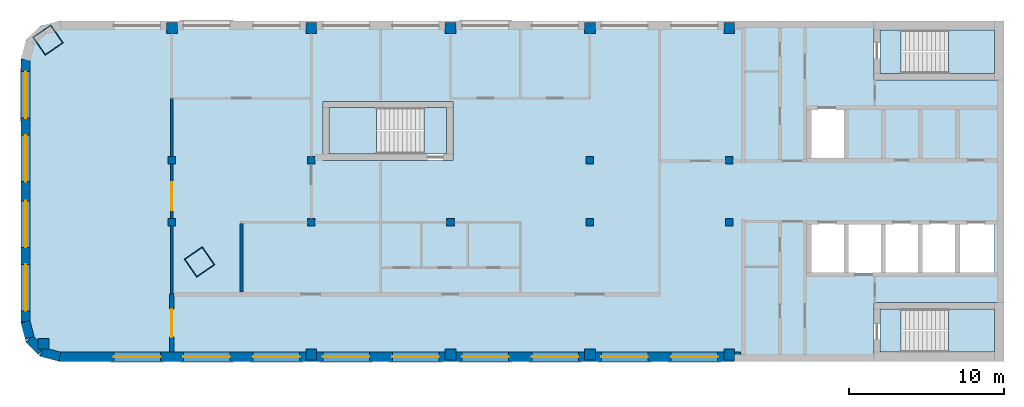
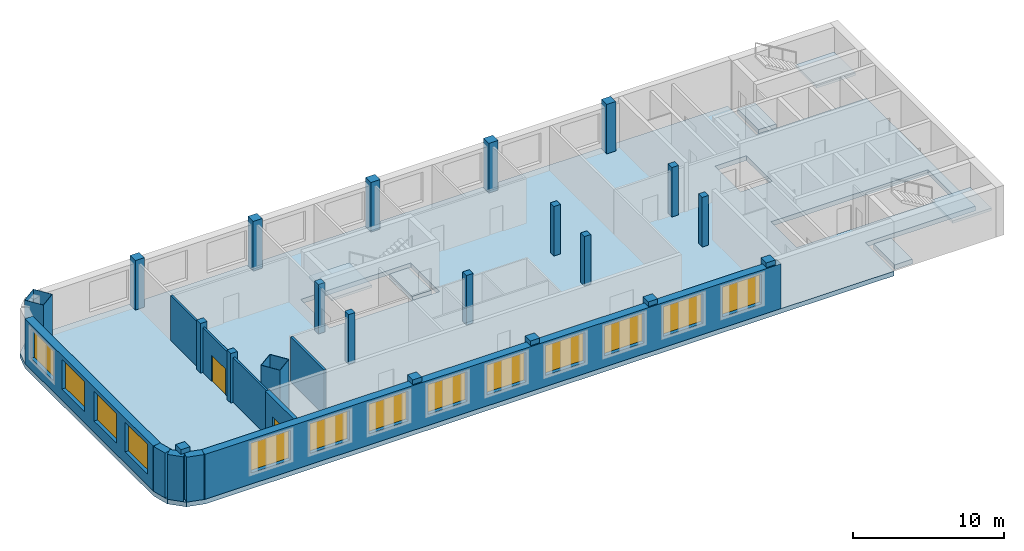
# One storey, part 1 of 5: 21 columns, 13 windows, 8 walls, 7 slabs, 2 doors, 15 openings, 3 elements without a shape of their own.
"""IFC4 building model written with IfcOpenShell, lengths in metres."""

from ifc_helpers import new_model, si_unit, direction, frame, frame_2d, origin, origin_2d, place, context, subcontext, project, spatial, polyline, rectangle, hollow_rectangle, outline, extrude, material, layer, layer_set, material_profile, profile_set, type_object, element, fill, aggregate, save


model = new_model("IFC4")

# Units and contexts
model_context = context("Model", 3, precision=1e-05, world=origin(), true_north=direction((0.0, 1.0)))
body_context = subcontext(model_context, "Body", "Model", "MODEL_VIEW")
ifc_project = project(units=[si_unit("LENGTHUNIT", "METRE"), si_unit("AREAUNIT", "SQUARE_METRE"), si_unit("VOLUMEUNIT", "CUBIC_METRE"), si_unit("PLANEANGLEUNIT", "RADIAN"), si_unit("MASSUNIT", "GRAM", prefix="KILO")], contexts=[model_context])

# Site, building, storey
site_placement = place(None, origin())
site = spatial("IfcSite", under=ifc_project, at=site_placement, CompositionType="ELEMENT")
building_placement = place(site_placement, origin())
building = spatial("IfcBuilding", under=site, at=building_placement, Name="Skarvind Civic Tower", CompositionType="ELEMENT")
storey_placement = place(building_placement, frame((0.0, 0.0, 245.5)))
storey = spatial("IfcBuildingStorey", under=building, at=storey_placement, Name="L58", CompositionType="ELEMENT", Elevation=245.5)

# Columns
ifc_material_1 = material(Name="Concrete C60", Category="concrete")
ifc_material_profile_1 = material_profile(ifc_material_1, rectangle(XDim=0.5, YDim=0.5, at=origin_2d()), Name="RC-500x500")
ifc_profile_set_1 = profile_set([ifc_material_profile_1], Name="Concrete C60")
column_type_1 = type_object("IfcColumnType", Name="Column RC-500x500 C60", PredefinedType="COLUMN", material=ifc_profile_set_1)
for number, where, z_axis, x_axis, name in (
    (1, (54.25, 130.0, 0.0), (0.0, 0.0, 1.0), (1.0, 0.0, 0.0), "Column wing 1 north inner 02 L58"),
    (2, (63.25, 130.0, 0.0), (0.0, 0.0, 1.0), (1.0, 0.0, 0.0), "Column wing 1 north inner 03 L58"),
    (3, (81.25, 130.0, 0.0), (0.0, 0.0, 1.0), (1.0, 0.0, 0.0), "Column wing 1 north inner 05 L58"),
    (4, (90.25, 130.0, 0.0), (0.0, 0.0, 1.0), (1.0, 0.0, 0.0), "Column wing 1 north inner 06 L58"),
    (5, (54.25, 126.0, 0.0), (0.0, 0.0, 1.0), (1.0, 0.0, 0.0), "Column wing 1 south inner 02 L58"),
    (6, (63.25, 126.0, 0.0), (0.0, 0.0, 1.0), (1.0, 0.0, 0.0), "Column wing 1 south inner 03 L58"),
    (7, (72.25, 126.0, 0.0), (0.0, 0.0, 1.0), (1.0, 0.0, 0.0), "Column wing 1 south inner 04 L58"),
    (8, (81.25, 126.0, 0.0), (0.0, 0.0, 1.0), (1.0, 0.0, 0.0), "Column wing 1 south inner 05 L58"),
    (9, (90.25, 126.0, 0.0), (0.0, 0.0, 1.0), (1.0, 0.0, 0.0), "Column wing 1 south inner 06 L58"),
):
    element("IfcColumn", number, at=place(storey_placement, frame(where, z_axis=z_axis, x_axis=x_axis)), inside=storey, type_object=column_type_1, Name=name, PredefinedType="COLUMN", context=body_context, shape_type="SweptSolid", body=[
        extrude(rectangle(XDim=0.5, YDim=0.5, at=origin_2d()), origin(), (0.0, 0.0, 1.0), 4.0),
    ])
ifc_material_profile_2 = material_profile(ifc_material_1, rectangle(XDim=0.699951171875, YDim=0.699951171875, at=origin_2d()), Name="RC-700x700")
ifc_profile_set_2 = profile_set([ifc_material_profile_2], Name="Concrete C60")
column_type_2 = type_object("IfcColumnType", Name="Column RC-700x700 C60", PredefinedType="COLUMN", material=ifc_profile_set_2)
for number, where, z_axis, x_axis, name in (
    (10, (54.25, 138.550048828125, 0.0), (0.0, 0.0, 1.0), (1.0, 0.0, 0.0), "Column wing 1 north perimeter 02 L58"),
    (11, (63.25, 138.550048828125, 0.0), (0.0, 0.0, 1.0), (1.0, 0.0, 0.0), "Column wing 1 north perimeter 03 L58"),
    (12, (72.25, 138.550048828125, 0.0), (0.0, 0.0, 1.0), (1.0, 0.0, 0.0), "Column wing 1 north perimeter 04 L58"),
    (13, (81.25, 138.550048828125, 0.0), (0.0, 0.0, 1.0), (1.0, 0.0, 0.0), "Column wing 1 north perimeter 05 L58"),
    (14, (90.25, 138.550048828125, 0.0), (0.0, 0.0, 1.0), (1.0, 0.0, 0.0), "Column wing 1 north perimeter 06 L58"),
    (15, (45.95166015625, 118.151611328125, 0.0), (0.0, 0.0, 1.0), (1.0, 0.0, 0.0), "Column wing 1 south perimeter 01 L58"),
    (16, (63.25, 117.449951171875, 0.0), (0.0, 0.0, 1.0), (1.0, 0.0, 0.0), "Column wing 1 south perimeter 03 L58"),
    (17, (72.25, 117.449951171875, 0.0), (0.0, 0.0, 1.0), (1.0, 0.0, 0.0), "Column wing 1 south perimeter 04 L58"),
    (18, (81.25, 117.449951171875, 0.0), (0.0, 0.0, 1.0), (1.0, 0.0, 0.0), "Column wing 1 south perimeter 05 L58"),
    (19, (90.25, 117.449951171875, 0.0), (0.0, 0.0, 1.0), (1.0, 0.0, 0.0), "Column wing 1 south perimeter 06 L58"),
):
    element("IfcColumn", number, at=place(storey_placement, frame(where, z_axis=z_axis, x_axis=x_axis)), inside=storey, type_object=column_type_2, Name=name, PredefinedType="COLUMN", context=body_context, shape_type="SweptSolid", body=[
        extrude(rectangle(XDim=0.699951171875, YDim=0.699951171875, at=origin_2d()), origin(), (0.0, 0.0, 1.0), 4.0),
    ])
ifc_material_2 = material(Name="Composite concrete-filled steel tube, Steel SM355 with Concrete C60", Category="concrete")
ifc_material_profile_3 = material_profile(ifc_material_2, hollow_rectangle(XDim=1.39990234375, YDim=1.39990234375, WallThickness=0.02490234375, at=origin_2d()), Name="BOX-1400x1400x25")
ifc_profile_set_3 = profile_set([ifc_material_profile_3], Name="Composite concrete-filled steel tube, Steel SM355 with Concrete C60")
column_type_3 = type_object("IfcColumnType", Name="Mega column BOX-1400x1400x25 filled C60", PredefinedType="COLUMN", material=ifc_profile_set_3)
for number, where, z_axis, x_axis, name in (
    (20, (46.2470703125, 137.762451171875, 0.0), (0.0, 0.0, 1.0), (0.573576436351, -0.819152044289, 0.0), "Mega column 2 L58"),
    (21, (56.0361328125, 123.43017578125, 0.0), (0.0, 0.0, 1.0), (0.573576436351, -0.819152044289, 0.0), "Mega column 4 L58"),
):
    element("IfcColumn", number, at=place(storey_placement, frame(where, z_axis=z_axis, x_axis=x_axis)), inside=storey, type_object=column_type_3, Name=name, PredefinedType="COLUMN", context=body_context, shape_type="SweptSolid", body=[
        extrude(hollow_rectangle(XDim=1.39990234375, YDim=1.39990234375, WallThickness=0.02490234375, at=origin_2d()), origin(), (0.0, 0.0, 1.0), 4.0),
    ])

# Slabs
ifc_material_3 = material(Name="Concrete C50", Category="concrete")
ifc_layer_1 = layer(ifc_material_3, 0.375)
ifc_layer_set_1 = layer_set([ifc_layer_1], Name="Floor slab 375 C50")
slab_type_1 = type_object("IfcSlabType", Name="Floor slab 375 C50", PredefinedType="FLOOR", material=ifc_layer_set_1)
slab_1_placement = place(storey_placement, frame((0.0, 0.0, -0.375)))
element("IfcSlab", 22, at=slab_1_placement, inside=storey, type_object=slab_type_1, Name="Floor slab L58 1", PredefinedType="FLOOR", context=body_context, shape_type="SweptSolid", body=[
    extrude(outline(polyline([(99.60009765625, 117.0), (99.60009765625, 120.800048828125), (108.0, 120.800048828125), (108.0, 135.199951171875), (99.60009765625, 135.199951171875), (99.60009765625, 139.0), (47.0, 139.0), (45.75, 138.6650390625), (44.8349609375, 137.75), (44.5, 136.5), (44.5, 119.5), (44.8349609375, 118.25), (45.75, 117.3349609375), (47.0, 117.0), (99.60009765625, 117.0)]), holes=[polyline([(95.39990234375, 126.0), (97.800048828125, 126.0), (100.199951171875, 126.0), (102.60009765625, 126.0), (105.0, 126.0), (107.39990234375, 126.0), (107.39990234375, 122.60009765625), (105.0, 122.60009765625), (102.60009765625, 122.60009765625), (100.199951171875, 122.60009765625), (97.800048828125, 122.60009765625), (95.39990234375, 122.60009765625), (95.39990234375, 126.0)]), polyline([(95.39990234375, 133.39990234375), (97.800048828125, 133.39990234375), (97.800048828125, 130.0), (95.39990234375, 130.0), (95.39990234375, 133.39990234375)]), polyline([(64.0, 130.0), (64.0, 133.800048828125), (72.39990234375, 133.800048828125), (72.39990234375, 130.0), (64.0, 130.0)])]), origin(), (0.0, 0.0, 1.0), 0.375),
])
ifc_material_4 = material(Name="Concrete C40/50", Category="concrete")
ifc_layer_2 = layer(ifc_material_4, 0.375)
ifc_layer_set_2 = layer_set([ifc_layer_2], Name="Stair floor landing slab 375")
slab_type_2 = type_object("IfcSlabType", Name="Stair floor landing slab 375", PredefinedType="LANDING", material=ifc_layer_set_2)
slab_2_placement = place(storey_placement, frame((0.0, 0.0, -0.375)))
element("IfcSlab", 23, at=slab_2_placement, inside=storey, type_object=slab_type_2, Name="Stair floor landing", PredefinedType="LANDING", context=body_context, shape_type="SweptSolid", body=[
    extrude(outline(polyline([(101.3505859375, 138.400634765625), (101.3505859375, 135.599365234375), (99.99951171875, 135.599365234375), (99.99951171875, 138.400634765625), (101.3505859375, 138.400634765625)])), origin(), (0.0, 0.0, 1.0), 0.375),
])
slab_3_placement = place(storey_placement, frame((0.0, 0.0, -0.375)))
element("IfcSlab", 24, at=slab_3_placement, inside=storey, type_object=slab_type_2, Name="Stair floor landing", PredefinedType="LANDING", context=body_context, shape_type="SweptSolid", body=[
    extrude(outline(polyline([(101.3505859375, 120.400634765625), (101.3505859375, 117.599365234375), (99.99951171875, 117.599365234375), (99.99951171875, 120.400634765625), (101.3505859375, 120.400634765625)])), origin(), (0.0, 0.0, 1.0), 0.375),
])
slab_4_placement = place(storey_placement, frame((0.0, 0.0, -0.375)))
element("IfcSlab", 25, at=slab_4_placement, inside=storey, type_object=slab_type_2, Name="Stair floor landing", PredefinedType="LANDING", context=body_context, shape_type="SweptSolid", body=[
    extrude(outline(polyline([(70.54931640625, 130.3994140625), (70.54931640625, 133.400634765625), (72.00048828125, 133.400634765625), (72.00048828125, 130.3994140625), (70.54931640625, 130.3994140625)])), origin(), (0.0, 0.0, 1.0), 0.375),
])

# Stair, slab
stair_type_1 = type_object("IfcStairType", Name="Exit stair, half-turn, concrete", PredefinedType="HALF_TURN_STAIR", material=ifc_material_4)
stair_1_placement = place(storey_placement, origin())
stair_1 = element("IfcStair", 26, at=stair_1_placement, inside=storey, type_object=stair_type_1, Name="Exit stair C1S", PredefinedType="HALF_TURN_STAIR")
ifc_layer_3 = layer(ifc_material_4, 0.199951171875)
ifc_layer_set_3 = layer_set([ifc_layer_3], Name="Stair half landing slab")
slab_type_3 = type_object("IfcSlabType", Name="Stair half landing slab", PredefinedType="LANDING", material=ifc_layer_set_3)
slab_5_placement = place(storey_placement, frame((0.0, 0.0, 1.800048828125)))
slab_5 = element("IfcSlab", 27, at=slab_5_placement, type_object=slab_type_3, Name="ST-C1S landing 1", PredefinedType="LANDING", context=body_context, shape_type="SweptSolid", body=[
    extrude(outline(polyline([(104.429443359375, 135.599365234375), (104.429443359375, 138.400634765625), (107.400634765625, 138.400634765625), (107.400634765625, 135.599365234375), (104.429443359375, 135.599365234375)])), origin(), (0.0, 0.0, 1.0), 0.199951171875),
])
aggregate(stair_1, [slab_5])

stair_2_placement = place(storey_placement, origin())
stair_2 = element("IfcStair", 28, at=stair_2_placement, inside=storey, type_object=stair_type_1, Name="Exit stair C1N", PredefinedType="HALF_TURN_STAIR")
slab_6_placement = place(storey_placement, frame((0.0, 0.0, 1.800048828125)))
slab_6 = element("IfcSlab", 29, at=slab_6_placement, type_object=slab_type_3, Name="ST-C1N landing 1", PredefinedType="LANDING", context=body_context, shape_type="SweptSolid", body=[
    extrude(outline(polyline([(104.429443359375, 117.599365234375), (104.429443359375, 120.400634765625), (107.400634765625, 120.400634765625), (107.400634765625, 117.599365234375), (104.429443359375, 117.599365234375)])), origin(), (0.0, 0.0, 1.0), 0.199951171875),
])
aggregate(stair_2, [slab_6])

stair_type_2 = type_object("IfcStairType", Name="Exit stair 1450, half-turn, concrete", PredefinedType="HALF_TURN_STAIR", material=ifc_material_4)
stair_3_placement = place(storey_placement, origin())
stair_3 = element("IfcStair", 30, at=stair_3_placement, inside=storey, type_object=stair_type_2, Name="Exit stair CM", PredefinedType="HALF_TURN_STAIR")
slab_7_placement = place(storey_placement, frame((0.0, 0.0, 1.800048828125)))
slab_7 = element("IfcSlab", 31, at=slab_7_placement, type_object=slab_type_3, Name="ST-CM landing 1", PredefinedType="LANDING", context=body_context, shape_type="SweptSolid", body=[
    extrude(outline(polyline([(67.470703125, 133.400634765625), (67.470703125, 130.3994140625), (64.3994140625, 130.3994140625), (64.3994140625, 133.400634765625), (67.470703125, 133.400634765625)])), origin(), (0.0, 0.0, 1.0), 0.199951171875),
])
aggregate(stair_3, [slab_7])

# Wall
ifc_material_5 = material(Name="Acoustic gypsum board on steel studs", Category="steel")
ifc_layer_4 = layer(ifc_material_5, 0.175048828125)
ifc_layer_set_4 = layer_set([ifc_layer_4], Name="ACOUSTIC MEETING-ROOM PARTITION 175")
wall_type_1 = type_object("IfcWallType", Name="ACOUSTIC MEETING-ROOM PARTITION 175", PredefinedType="PARTITIONING", material=ifc_layer_set_4)
wall_1_placement = place(storey_placement, frame((58.75, 125.912109375, 0.0), z_axis=(0.0, 0.0, 1.0), x_axis=(0.0, -1.0, 0.0)))
element("IfcWall", 32, at=wall_1_placement, inside=storey, type_object=wall_type_1, Name="Partition 58.006", PredefinedType="PARTITIONING", context=body_context, shape_type="SweptSolid", body=[
    extrude(rectangle(XDim=4.412109375, YDim=0.175048828125, at=frame_2d((2.2060546875, 0.0))), origin(), (0.0, 0.0, 1.0), 3.625),
])

# Wall, opening, door
ifc_material_6 = material(Name="Fire-rated gypsum board on steel studs", Category="steel")
ifc_layer_5 = layer(ifc_material_6, 0.300048828125)
ifc_layer_set_5 = layer_set([ifc_layer_5], Name="CORRIDOR WALL 300")
wall_type_2 = type_object("IfcWallType", Name="CORRIDOR WALL 300", PredefinedType="PARTITIONING", material=ifc_layer_set_5)
wall_2_placement = place(storey_placement, frame((54.25, 117.60009765625, 0.0), z_axis=(0.0, 0.0, 1.0), x_axis=(0.0, 1.0, 0.0)))
wall_2 = element("IfcWall", 33, at=wall_2_placement, inside=storey, type_object=wall_type_2, Name="Partition 58.001", PredefinedType="PARTITIONING", context=body_context, shape_type="SweptSolid", body=[
    extrude(rectangle(XDim=3.75, YDim=0.300048828125, at=frame_2d((1.875, 0.0))), origin(), (0.0, 0.0, 1.0), 3.625),
])
opening_1_placement = place(wall_2_placement, frame((0.9765625, 0.0, 0.0)))
opening_1 = element("IfcOpeningElement", 34, at=opening_1_placement, cuts=wall_2, Name="Opening L58-D011", PredefinedType="OPENING", context=body_context, shape_type="SweptSolid", body=[
    extrude(rectangle(XDim=1.800048828125, YDim=2.10009765625, at=frame_2d((0.89990234375, 1.050048828125))), frame((0.0, 0.159912109375, 0.0), z_axis=(0.0, -1.0, 0.0), x_axis=(1.0, 0.0, 0.0)), (0.0, 0.0, 1.0), 0.320068359375),
])
ifc_material_7 = material(Name="Fire-rated timber door leaf", Category="wood")
door_type_1 = type_object("IfcDoorType", Name="FD4 1800x2100", OperationType="NOTDEFINED", PredefinedType="DOOR", material=ifc_material_7)
door_1_placement = place(opening_1_placement, origin())
door_1 = element("IfcDoor", 35, at=door_1_placement, inside=storey, type_object=door_type_1, Name="Door L58-D011", OperationType="DOUBLE_DOOR_SINGLE_SWING", OverallHeight=2.10009765625, OverallWidth=1.800048828125, PredefinedType="DOOR", context=body_context, shape_type="SweptSolid", body=[
    extrude(rectangle(XDim=1.800048828125, YDim=2.10009765625, at=frame_2d((0.89990234375, 1.050048828125))), frame((0.0, 0.02490234375, 0.0), z_axis=(0.0, -1.0, 0.0), x_axis=(1.0, 0.0, 0.0)), (0.0, 0.0, 1.0), 0.050048828125),
])
fill(opening_1, door_1)

ifc_material_8 = material(Name="Plasterboard partition on steel studs", Category="steel")
ifc_layer_6 = layer(ifc_material_8, 0.14990234375)
ifc_layer_set_6 = layer_set([ifc_layer_6], Name="PARTITION 150")
wall_type_3 = type_object("IfcWallType", Name="PARTITION 150", PredefinedType="PARTITIONING", material=ifc_layer_set_6)
wall_3_placement = place(storey_placement, frame((54.25, 134.0, 0.0), z_axis=(0.0, 0.0, 1.0), x_axis=(0.0, -1.0, 0.0)))
wall_3 = element("IfcWall", 36, at=wall_3_placement, inside=storey, type_object=wall_type_3, Name="Partition 58.003", PredefinedType="PARTITIONING", context=body_context, shape_type="SweptSolid", body=[
    extrude(rectangle(XDim=12.64990234375, YDim=0.14990234375, at=frame_2d((6.324951171875, 0.0))), origin(), (0.0, 0.0, 1.0), 3.625),
])
opening_2_placement = place(wall_3_placement, frame((5.425048828125, 0.0, 0.0)))
opening_2 = element("IfcOpeningElement", 37, at=opening_2_placement, cuts=wall_3, Name="Opening L58-D013", PredefinedType="OPENING", context=body_context, shape_type="SweptSolid", body=[
    extrude(rectangle(XDim=1.800048828125, YDim=2.10009765625, at=frame_2d((0.89990234375, 1.050048828125))), frame((0.0, 0.0849609375, 0.0), z_axis=(0.0, -1.0, 0.0), x_axis=(1.0, 0.0, 0.0)), (0.0, 0.0, 1.0), 0.169921875),
])
ifc_material_9 = material(Name="Timber door leaf", Category="wood")
door_type_2 = type_object("IfcDoorType", Name="D4 1800x2100", OperationType="NOTDEFINED", PredefinedType="DOOR", material=ifc_material_9)
door_2_placement = place(opening_2_placement, origin())
door_2 = element("IfcDoor", 38, at=door_2_placement, inside=storey, type_object=door_type_2, Name="Door L58-D013", OperationType="DOUBLE_DOOR_SINGLE_SWING", OverallHeight=2.10009765625, OverallWidth=1.800048828125, PredefinedType="DOOR", context=body_context, shape_type="SweptSolid", body=[
    extrude(rectangle(XDim=1.800048828125, YDim=2.10009765625, at=frame_2d((0.89990234375, 1.050048828125))), frame((0.0, 0.02490234375, 0.0), z_axis=(0.0, -1.0, 0.0), x_axis=(1.0, 0.0, 0.0)), (0.0, 0.0, 1.0), 0.050048828125),
])
fill(opening_2, door_2)

# Wall, openings, windows
ifc_material_10 = material(Name="Standing-seam zinc cladding on insulated backing")
ifc_layer_7 = layer(ifc_material_10, 0.60009765625)
ifc_layer_set_7 = layer_set([ifc_layer_7], Name="WX2 ZINC-CLAD FACADE WALL 600")
wall_type_4 = type_object("IfcWallType", Name="WX2 ZINC-CLAD FACADE WALL 600", PredefinedType="SOLIDWALL", material=ifc_layer_set_7)
wall_4_placement = place(storey_placement, frame((44.800048828125, 119.570068359375, 0.0), z_axis=(0.0, 0.0, 1.0), x_axis=(0.0, 1.0, 0.0)))
wall_4 = element("IfcWall", 39, at=wall_4_placement, inside=storey, type_object=wall_type_4, Name="ZINC-CLAD FACADE WALL", PredefinedType="SOLIDWALL", context=body_context, shape_type="SweptSolid", body=[
    extrude(rectangle(XDim=16.929931640625, YDim=0.60009765625, at=frame_2d((8.46484375, 0.0))), origin(), (0.0, 0.0, 1.0), 3.625),
])
opening_3_placement = place(wall_4_placement, frame((0.705078125, 0.0, 0.89990234375)))
opening_3 = element("IfcOpeningElement", 40, at=opening_3_placement, cuts=wall_4, Name="Opening WN4", PredefinedType="OPENING", context=body_context, shape_type="SweptSolid", body=[
    extrude(rectangle(XDim=3.0, YDim=2.39990234375, at=frame_2d((1.5, 1.199951171875))), frame((0.0, 0.31005859375, 0.0), z_axis=(0.0, -1.0, 0.0), x_axis=(1.0, 0.0, 0.0)), (0.0, 0.0, 1.0), 0.6201171875),
])
opening_4_placement = place(wall_4_placement, frame((4.804931640625, 0.0, 0.89990234375)))
opening_4 = element("IfcOpeningElement", 41, at=opening_4_placement, cuts=wall_4, Name="Opening WN4", PredefinedType="OPENING", context=body_context, shape_type="SweptSolid", body=[
    extrude(rectangle(XDim=3.0, YDim=2.39990234375, at=frame_2d((1.5, 1.199951171875))), frame((0.0, 0.31005859375, 0.0), z_axis=(0.0, -1.0, 0.0), x_axis=(1.0, 0.0, 0.0)), (0.0, 0.0, 1.0), 0.6201171875),
])
opening_5_placement = place(wall_4_placement, frame((9.054931640625, 0.0, 0.89990234375)))
opening_5 = element("IfcOpeningElement", 42, at=opening_5_placement, cuts=wall_4, Name="Opening WN4", PredefinedType="OPENING", context=body_context, shape_type="SweptSolid", body=[
    extrude(rectangle(XDim=3.0, YDim=2.39990234375, at=frame_2d((1.5, 1.199951171875))), frame((0.0, 0.31005859375, 0.0), z_axis=(0.0, -1.0, 0.0), x_axis=(1.0, 0.0, 0.0)), (0.0, 0.0, 1.0), 0.6201171875),
])
opening_6_placement = place(wall_4_placement, frame((13.155029296875, 0.0, 0.89990234375)))
opening_6 = element("IfcOpeningElement", 43, at=opening_6_placement, cuts=wall_4, Name="Opening WN4", PredefinedType="OPENING", context=body_context, shape_type="SweptSolid", body=[
    extrude(rectangle(XDim=3.0, YDim=2.39990234375, at=frame_2d((1.5, 1.199951171875))), frame((0.0, 0.31005859375, 0.0), z_axis=(0.0, -1.0, 0.0), x_axis=(1.0, 0.0, 0.0)), (0.0, 0.0, 1.0), 0.6201171875),
])
ifc_material_11 = material(Name="Timber frame, double glazing, copper-lined reveal", Category="wood")
window_type = type_object("IfcWindowType", Name="WN4 COPPER-LINED WINDOW 3000 x 2400", PartitioningType="SINGLE_PANEL", PredefinedType="WINDOW", material=ifc_material_11)
window_1_placement = place(opening_3_placement, origin())
window_1 = element("IfcWindow", 44, at=window_1_placement, inside=storey, type_object=window_type, Name="WN4 WINDOW", OverallHeight=2.39990234375, OverallWidth=3.0, PartitioningType="SINGLE_PANEL", PredefinedType="WINDOW", context=body_context, shape_type="SweptSolid", body=[
    extrude(rectangle(XDim=3.0, YDim=2.39990234375, at=frame_2d((1.5, 1.199951171875))), frame((0.0, 0.030029296875, 0.0), z_axis=(0.0, -1.0, 0.0), x_axis=(1.0, 0.0, 0.0)), (0.0, 0.0, 1.0), 0.06005859375),
])
fill(opening_3, window_1)
window_2_placement = place(opening_4_placement, origin())
window_2 = element("IfcWindow", 45, at=window_2_placement, inside=storey, type_object=window_type, Name="WN4 WINDOW", OverallHeight=2.39990234375, OverallWidth=3.0, PartitioningType="SINGLE_PANEL", PredefinedType="WINDOW", context=body_context, shape_type="SweptSolid", body=[
    extrude(rectangle(XDim=3.0, YDim=2.39990234375, at=frame_2d((1.5, 1.199951171875))), frame((0.0, 0.030029296875, 0.0), z_axis=(0.0, -1.0, 0.0), x_axis=(1.0, 0.0, 0.0)), (0.0, 0.0, 1.0), 0.06005859375),
])
fill(opening_4, window_2)
window_3_placement = place(opening_5_placement, origin())
window_3 = element("IfcWindow", 46, at=window_3_placement, inside=storey, type_object=window_type, Name="WN4 WINDOW", OverallHeight=2.39990234375, OverallWidth=3.0, PartitioningType="SINGLE_PANEL", PredefinedType="WINDOW", context=body_context, shape_type="SweptSolid", body=[
    extrude(rectangle(XDim=3.0, YDim=2.39990234375, at=frame_2d((1.5, 1.199951171875))), frame((0.0, 0.030029296875, 0.0), z_axis=(0.0, -1.0, 0.0), x_axis=(1.0, 0.0, 0.0)), (0.0, 0.0, 1.0), 0.06005859375),
])
fill(opening_5, window_3)
window_4_placement = place(opening_6_placement, origin())
window_4 = element("IfcWindow", 47, at=window_4_placement, inside=storey, type_object=window_type, Name="WN4 WINDOW", OverallHeight=2.39990234375, OverallWidth=3.0, PartitioningType="SINGLE_PANEL", PredefinedType="WINDOW", context=body_context, shape_type="SweptSolid", body=[
    extrude(rectangle(XDim=3.0, YDim=2.39990234375, at=frame_2d((1.5, 1.199951171875))), frame((0.0, 0.030029296875, 0.0), z_axis=(0.0, -1.0, 0.0), x_axis=(1.0, 0.0, 0.0)), (0.0, 0.0, 1.0), 0.06005859375),
])
fill(opening_6, window_4)

# Walls
wall_5_placement = place(storey_placement, frame((45.0703125, 118.530517578125, 0.0), z_axis=(0.0, 0.0, 1.0), x_axis=(-0.25876985698, 0.965939004864, 0.0)))
element("IfcWall", 48, at=wall_5_placement, inside=storey, type_object=wall_type_4, Name="ZINC-CLAD FACADE WALL", PredefinedType="SOLIDWALL", context=body_context, shape_type="SweptSolid", body=[
    extrude(rectangle(XDim=1.083984375, YDim=0.60009765625, at=frame_2d((0.5419921875, 0.0))), origin(), (0.0, 0.0, 1.0), 3.625),
])
wall_6_placement = place(storey_placement, frame((45.813720703125, 117.695556640625, 0.0), z_axis=(0.0, 0.0, 1.0), x_axis=(-0.707106781187, 0.707106781187, 0.0)))
element("IfcWall", 49, at=wall_6_placement, inside=storey, type_object=wall_type_4, Name="ZINC-CLAD FACADE WALL", PredefinedType="SOLIDWALL", context=body_context, shape_type="SweptSolid", body=[
    extrude(rectangle(XDim=1.084228515625, YDim=0.60009765625, at=frame_2d((0.5419921875, 0.0))), origin(), (0.0, 0.0, 1.0), 3.625),
])
wall_7_placement = place(storey_placement, frame((47.010009765625, 117.307861328125, 0.0), z_axis=(0.0, 0.0, 1.0), x_axis=(-0.965909766102, 0.258878975098, 0.0)))
element("IfcWall", 50, at=wall_7_placement, inside=storey, type_object=wall_type_4, Name="ZINC-CLAD FACADE WALL", PredefinedType="SOLIDWALL", context=body_context, shape_type="SweptSolid", body=[
    extrude(rectangle(XDim=1.22412109375, YDim=0.60009765625, at=frame_2d((0.612060546875, 0.0))), origin(), (0.0, 0.0, 1.0), 3.625),
])

# Wall, openings, windows
wall_8_placement = place(storey_placement, frame((90.97998046875, 117.300048828125, 0.0), z_axis=(0.0, 0.0, 1.0), x_axis=(-1.0, 0.0, 0.0)))
wall_8 = element("IfcWall", 51, at=wall_8_placement, inside=storey, type_object=wall_type_4, Name="ZINC-CLAD FACADE WALL", PredefinedType="SOLIDWALL", context=body_context, shape_type="SweptSolid", body=[
    extrude(rectangle(XDim=43.97998046875, YDim=0.60009765625, at=frame_2d((21.989990234375, 0.0))), origin(), (0.0, 0.0, 1.0), 3.625),
])
opening_7_placement = place(wall_8_placement, frame((1.47998046875, 0.0, 0.89990234375)))
opening_7 = element("IfcOpeningElement", 52, at=opening_7_placement, cuts=wall_8, Name="Opening WN4", PredefinedType="OPENING", context=body_context, shape_type="SweptSolid", body=[
    extrude(rectangle(XDim=3.0, YDim=2.39990234375, at=frame_2d((1.5, 1.199951171875))), frame((0.0, 0.31005859375, 0.0), z_axis=(0.0, -1.0, 0.0), x_axis=(1.0, 0.0, 0.0)), (0.0, 0.0, 1.0), 0.6201171875),
])
opening_8_placement = place(wall_8_placement, frame((5.97998046875, 0.0, 0.89990234375)))
opening_8 = element("IfcOpeningElement", 53, at=opening_8_placement, cuts=wall_8, Name="Opening WN4", PredefinedType="OPENING", context=body_context, shape_type="SweptSolid", body=[
    extrude(rectangle(XDim=3.0, YDim=2.39990234375, at=frame_2d((1.5, 1.199951171875))), frame((0.0, 0.31005859375, 0.0), z_axis=(0.0, -1.0, 0.0), x_axis=(1.0, 0.0, 0.0)), (0.0, 0.0, 1.0), 0.6201171875),
])
opening_9_placement = place(wall_8_placement, frame((10.47998046875, 0.0, 0.89990234375)))
opening_9 = element("IfcOpeningElement", 54, at=opening_9_placement, cuts=wall_8, Name="Opening WN4", PredefinedType="OPENING", context=body_context, shape_type="SweptSolid", body=[
    extrude(rectangle(XDim=3.0, YDim=2.39990234375, at=frame_2d((1.5, 1.199951171875))), frame((0.0, 0.31005859375, 0.0), z_axis=(0.0, -1.0, 0.0), x_axis=(1.0, 0.0, 0.0)), (0.0, 0.0, 1.0), 0.6201171875),
])
opening_10_placement = place(wall_8_placement, frame((14.97998046875, 0.0, 0.89990234375)))
opening_10 = element("IfcOpeningElement", 55, at=opening_10_placement, cuts=wall_8, Name="Opening WN4", PredefinedType="OPENING", context=body_context, shape_type="SweptSolid", body=[
    extrude(rectangle(XDim=3.0, YDim=2.39990234375, at=frame_2d((1.5, 1.199951171875))), frame((0.0, 0.31005859375, 0.0), z_axis=(0.0, -1.0, 0.0), x_axis=(1.0, 0.0, 0.0)), (0.0, 0.0, 1.0), 0.6201171875),
])
opening_11_placement = place(wall_8_placement, frame((19.47998046875, 0.0, 0.89990234375)))
opening_11 = element("IfcOpeningElement", 56, at=opening_11_placement, cuts=wall_8, Name="Opening WN4", PredefinedType="OPENING", context=body_context, shape_type="SweptSolid", body=[
    extrude(rectangle(XDim=3.0, YDim=2.39990234375, at=frame_2d((1.5, 1.199951171875))), frame((0.0, 0.31005859375, 0.0), z_axis=(0.0, -1.0, 0.0), x_axis=(1.0, 0.0, 0.0)), (0.0, 0.0, 1.0), 0.6201171875),
])
opening_12_placement = place(wall_8_placement, frame((23.97998046875, 0.0, 0.89990234375)))
opening_12 = element("IfcOpeningElement", 57, at=opening_12_placement, cuts=wall_8, Name="Opening WN4", PredefinedType="OPENING", context=body_context, shape_type="SweptSolid", body=[
    extrude(rectangle(XDim=3.0, YDim=2.39990234375, at=frame_2d((1.5, 1.199951171875))), frame((0.0, 0.31005859375, 0.0), z_axis=(0.0, -1.0, 0.0), x_axis=(1.0, 0.0, 0.0)), (0.0, 0.0, 1.0), 0.6201171875),
])
opening_13_placement = place(wall_8_placement, frame((28.47998046875, 0.0, 0.89990234375)))
opening_13 = element("IfcOpeningElement", 58, at=opening_13_placement, cuts=wall_8, Name="Opening WN4", PredefinedType="OPENING", context=body_context, shape_type="SweptSolid", body=[
    extrude(rectangle(XDim=3.0, YDim=2.39990234375, at=frame_2d((1.5, 1.199951171875))), frame((0.0, 0.31005859375, 0.0), z_axis=(0.0, -1.0, 0.0), x_axis=(1.0, 0.0, 0.0)), (0.0, 0.0, 1.0), 0.6201171875),
])
opening_14_placement = place(wall_8_placement, frame((32.97998046875, 0.0, 0.89990234375)))
opening_14 = element("IfcOpeningElement", 59, at=opening_14_placement, cuts=wall_8, Name="Opening WN4", PredefinedType="OPENING", context=body_context, shape_type="SweptSolid", body=[
    extrude(rectangle(XDim=3.0, YDim=2.39990234375, at=frame_2d((1.5, 1.199951171875))), frame((0.0, 0.31005859375, 0.0), z_axis=(0.0, -1.0, 0.0), x_axis=(1.0, 0.0, 0.0)), (0.0, 0.0, 1.0), 0.6201171875),
])
opening_15_placement = place(wall_8_placement, frame((37.47998046875, 0.0, 0.89990234375)))
opening_15 = element("IfcOpeningElement", 60, at=opening_15_placement, cuts=wall_8, Name="Opening WN4", PredefinedType="OPENING", context=body_context, shape_type="SweptSolid", body=[
    extrude(rectangle(XDim=3.0, YDim=2.39990234375, at=frame_2d((1.5, 1.199951171875))), frame((0.0, 0.31005859375, 0.0), z_axis=(0.0, -1.0, 0.0), x_axis=(1.0, 0.0, 0.0)), (0.0, 0.0, 1.0), 0.6201171875),
])
window_5_placement = place(opening_7_placement, origin())
window_5 = element("IfcWindow", 61, at=window_5_placement, inside=storey, type_object=window_type, Name="WN4 WINDOW", OverallHeight=2.39990234375, OverallWidth=3.0, PartitioningType="SINGLE_PANEL", PredefinedType="WINDOW", context=body_context, shape_type="SweptSolid", body=[
    extrude(rectangle(XDim=3.0, YDim=2.39990234375, at=frame_2d((1.5, 1.199951171875))), frame((0.0, 0.030029296875, 0.0), z_axis=(0.0, -1.0, 0.0), x_axis=(1.0, 0.0, 0.0)), (0.0, 0.0, 1.0), 0.06005859375),
])
fill(opening_7, window_5)
window_6_placement = place(opening_8_placement, origin())
window_6 = element("IfcWindow", 62, at=window_6_placement, inside=storey, type_object=window_type, Name="WN4 WINDOW", OverallHeight=2.39990234375, OverallWidth=3.0, PartitioningType="SINGLE_PANEL", PredefinedType="WINDOW", context=body_context, shape_type="SweptSolid", body=[
    extrude(rectangle(XDim=3.0, YDim=2.39990234375, at=frame_2d((1.5, 1.199951171875))), frame((0.0, 0.030029296875, 0.0), z_axis=(0.0, -1.0, 0.0), x_axis=(1.0, 0.0, 0.0)), (0.0, 0.0, 1.0), 0.06005859375),
])
fill(opening_8, window_6)
window_7_placement = place(opening_9_placement, origin())
window_7 = element("IfcWindow", 63, at=window_7_placement, inside=storey, type_object=window_type, Name="WN4 WINDOW", OverallHeight=2.39990234375, OverallWidth=3.0, PartitioningType="SINGLE_PANEL", PredefinedType="WINDOW", context=body_context, shape_type="SweptSolid", body=[
    extrude(rectangle(XDim=3.0, YDim=2.39990234375, at=frame_2d((1.5, 1.199951171875))), frame((0.0, 0.030029296875, 0.0), z_axis=(0.0, -1.0, 0.0), x_axis=(1.0, 0.0, 0.0)), (0.0, 0.0, 1.0), 0.06005859375),
])
fill(opening_9, window_7)
window_8_placement = place(opening_10_placement, origin())
window_8 = element("IfcWindow", 64, at=window_8_placement, inside=storey, type_object=window_type, Name="WN4 WINDOW", OverallHeight=2.39990234375, OverallWidth=3.0, PartitioningType="SINGLE_PANEL", PredefinedType="WINDOW", context=body_context, shape_type="SweptSolid", body=[
    extrude(rectangle(XDim=3.0, YDim=2.39990234375, at=frame_2d((1.5, 1.199951171875))), frame((0.0, 0.030029296875, 0.0), z_axis=(0.0, -1.0, 0.0), x_axis=(1.0, 0.0, 0.0)), (0.0, 0.0, 1.0), 0.06005859375),
])
fill(opening_10, window_8)
window_9_placement = place(opening_11_placement, origin())
window_9 = element("IfcWindow", 65, at=window_9_placement, inside=storey, type_object=window_type, Name="WN4 WINDOW", OverallHeight=2.39990234375, OverallWidth=3.0, PartitioningType="SINGLE_PANEL", PredefinedType="WINDOW", context=body_context, shape_type="SweptSolid", body=[
    extrude(rectangle(XDim=3.0, YDim=2.39990234375, at=frame_2d((1.5, 1.199951171875))), frame((0.0, 0.030029296875, 0.0), z_axis=(0.0, -1.0, 0.0), x_axis=(1.0, 0.0, 0.0)), (0.0, 0.0, 1.0), 0.06005859375),
])
fill(opening_11, window_9)
window_10_placement = place(opening_12_placement, origin())
window_10 = element("IfcWindow", 66, at=window_10_placement, inside=storey, type_object=window_type, Name="WN4 WINDOW", OverallHeight=2.39990234375, OverallWidth=3.0, PartitioningType="SINGLE_PANEL", PredefinedType="WINDOW", context=body_context, shape_type="SweptSolid", body=[
    extrude(rectangle(XDim=3.0, YDim=2.39990234375, at=frame_2d((1.5, 1.199951171875))), frame((0.0, 0.030029296875, 0.0), z_axis=(0.0, -1.0, 0.0), x_axis=(1.0, 0.0, 0.0)), (0.0, 0.0, 1.0), 0.06005859375),
])
fill(opening_12, window_10)
window_11_placement = place(opening_13_placement, origin())
window_11 = element("IfcWindow", 67, at=window_11_placement, inside=storey, type_object=window_type, Name="WN4 WINDOW", OverallHeight=2.39990234375, OverallWidth=3.0, PartitioningType="SINGLE_PANEL", PredefinedType="WINDOW", context=body_context, shape_type="SweptSolid", body=[
    extrude(rectangle(XDim=3.0, YDim=2.39990234375, at=frame_2d((1.5, 1.199951171875))), frame((0.0, 0.030029296875, 0.0), z_axis=(0.0, -1.0, 0.0), x_axis=(1.0, 0.0, 0.0)), (0.0, 0.0, 1.0), 0.06005859375),
])
fill(opening_13, window_11)
window_12_placement = place(opening_14_placement, origin())
window_12 = element("IfcWindow", 68, at=window_12_placement, inside=storey, type_object=window_type, Name="WN4 WINDOW", OverallHeight=2.39990234375, OverallWidth=3.0, PartitioningType="SINGLE_PANEL", PredefinedType="WINDOW", context=body_context, shape_type="SweptSolid", body=[
    extrude(rectangle(XDim=3.0, YDim=2.39990234375, at=frame_2d((1.5, 1.199951171875))), frame((0.0, 0.030029296875, 0.0), z_axis=(0.0, -1.0, 0.0), x_axis=(1.0, 0.0, 0.0)), (0.0, 0.0, 1.0), 0.06005859375),
])
fill(opening_14, window_12)
window_13_placement = place(opening_15_placement, origin())
window_13 = element("IfcWindow", 69, at=window_13_placement, inside=storey, type_object=window_type, Name="WN4 WINDOW", OverallHeight=2.39990234375, OverallWidth=3.0, PartitioningType="SINGLE_PANEL", PredefinedType="WINDOW", context=body_context, shape_type="SweptSolid", body=[
    extrude(rectangle(XDim=3.0, YDim=2.39990234375, at=frame_2d((1.5, 1.199951171875))), frame((0.0, 0.030029296875, 0.0), z_axis=(0.0, -1.0, 0.0), x_axis=(1.0, 0.0, 0.0)), (0.0, 0.0, 1.0), 0.06005859375),
])
fill(opening_15, window_13)

save(model, "model.ifc")
